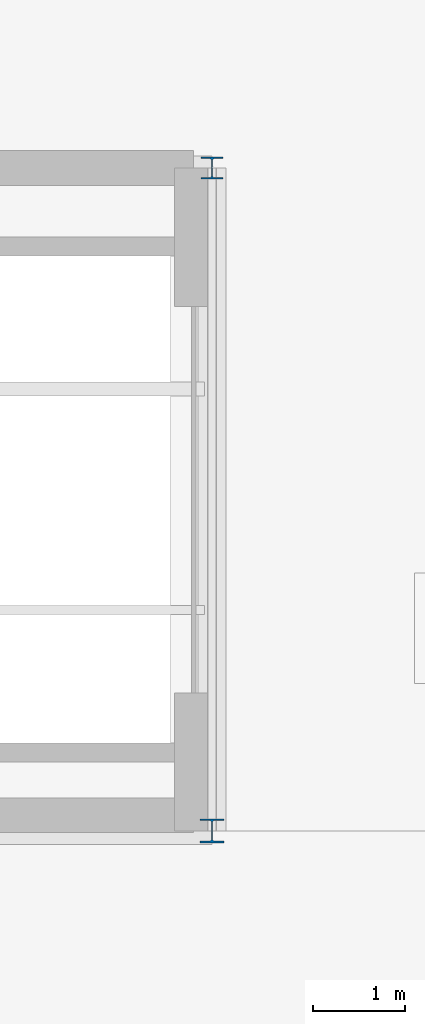
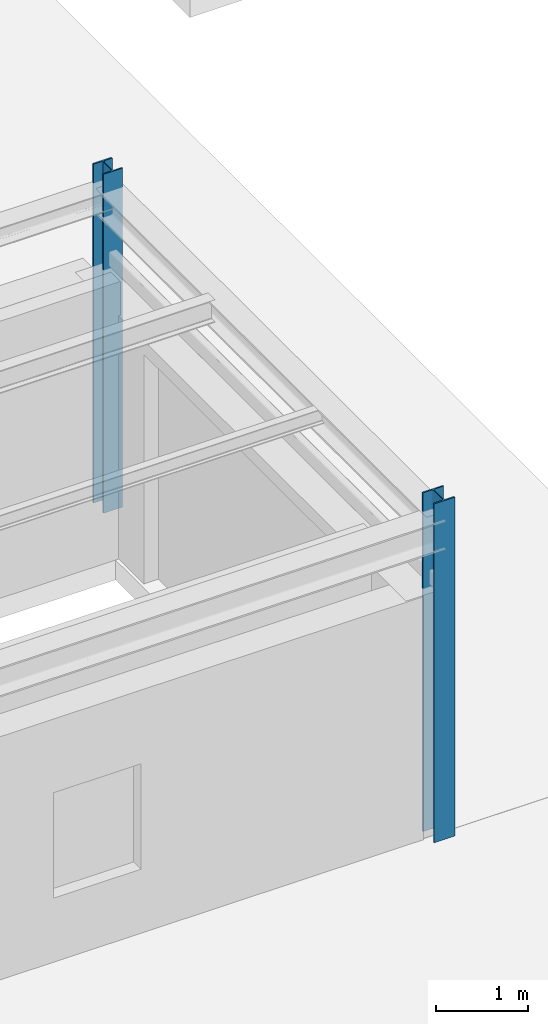
# One storey, part 22 of 101: 2 columns.
"""IFC4 building model written with IfcOpenShell, lengths in metres."""

from ifc_helpers import new_model, si_unit, derived_unit, direction, frame, origin, origin_2d, place, context, subcontext, project, spatial, i_section, extrude, material, material_profile, profile_set, type_object, element, save


model = new_model("IFC4")

# Units and contexts
model_context = context("Model", 3, precision=1e-05, world=origin(), true_north=direction((0.0, 1.0)))
body_context = subcontext(model_context, "Body", "Model", "MODEL_VIEW")
ifc_project = project(units=[si_unit("LENGTHUNIT", "METRE"), si_unit("AREAUNIT", "SQUARE_METRE"), si_unit("VOLUMEUNIT", "CUBIC_METRE"), si_unit("PLANEANGLEUNIT", "RADIAN"), si_unit("MASSUNIT", "GRAM", prefix="KILO"), derived_unit("THERMALTRANSMITTANCEUNIT", [(si_unit("POWERUNIT", "WATT"), 1), (si_unit("AREAUNIT", "SQUARE_METRE"), -1), (si_unit("THERMODYNAMICTEMPERATUREUNIT", "KELVIN"), -1)])], contexts=[model_context])

# Site, building, storey
site_placement = place(None, origin())
site = spatial("IfcSite", under=ifc_project, at=site_placement, CompositionType="ELEMENT")
building_placement = place(site_placement, origin())
building = spatial("IfcBuilding", under=site, at=building_placement, Name="Yasenodar Specialist Clinic", CompositionType="ELEMENT")
storey_placement = place(building_placement, origin())
storey = spatial("IfcBuildingStorey", under=building, at=storey_placement, Name="L00", CompositionType="ELEMENT", Elevation=0.0)

# Columns
ifc_material = material(Name="Steel S355", Category="steel")
ifc_material_profile_1 = material_profile(ifc_material, i_section(OverallWidth=0.239990234375, OverallDepth=0.239990234375, WebThickness=0.010009765625, FlangeThickness=0.01708984375, FilletRadius=0.02099609375, at=origin_2d()), Name="HEB 240")
ifc_profile_set_1 = profile_set([ifc_material_profile_1], Name="Steel S355")
column_type_1 = type_object("IfcColumnType", Name="COL-ST-HEB240", PredefinedType="COLUMN", material=ifc_profile_set_1)
column_1_placement = place(storey_placement, frame((130.199951171875, 90.0, 0.0), z_axis=(0.0, 0.0, 1.0), x_axis=(1.0, 0.0, 0.0)))
element("IfcColumn", 1, at=column_1_placement, inside=storey, type_object=column_type_1, Name="L00 Column V5R-152", PredefinedType="COLUMN", context=body_context, shape_type="SweptSolid", body=[
    extrude(i_section(OverallWidth=0.239990234375, OverallDepth=0.239990234375, WebThickness=0.010009765625, FlangeThickness=0.01708984375, FilletRadius=0.02099609375, at=origin_2d()), origin(), (0.0, 0.0, 1.0), 4.5),
])
ifc_material_profile_2 = material_profile(ifc_material, i_section(OverallWidth=0.260009765625, OverallDepth=0.260009765625, WebThickness=0.010009765625, FlangeThickness=0.017578125, FilletRadius=0.02392578125, at=origin_2d()), Name="HEB 260")
ifc_profile_set_2 = profile_set([ifc_material_profile_2], Name="Steel S355")
column_type_2 = type_object("IfcColumnType", Name="COL-ST-HEB260", PredefinedType="COLUMN", material=ifc_profile_set_2)
column_2_placement = place(storey_placement, frame((130.199951171875, 82.800048828125, 0.0), z_axis=(0.0, 0.0, 1.0), x_axis=(1.0, 0.0, 0.0)))
element("IfcColumn", 2, at=column_2_placement, inside=storey, type_object=column_type_2, Name="L00 Column V5R-151", PredefinedType="COLUMN", context=body_context, shape_type="SweptSolid", body=[
    extrude(i_section(OverallWidth=0.260009765625, OverallDepth=0.260009765625, WebThickness=0.010009765625, FlangeThickness=0.017578125, FilletRadius=0.02392578125, at=origin_2d()), origin(), (0.0, 0.0, 1.0), 4.5),
])

save(model, "model.ifc")
